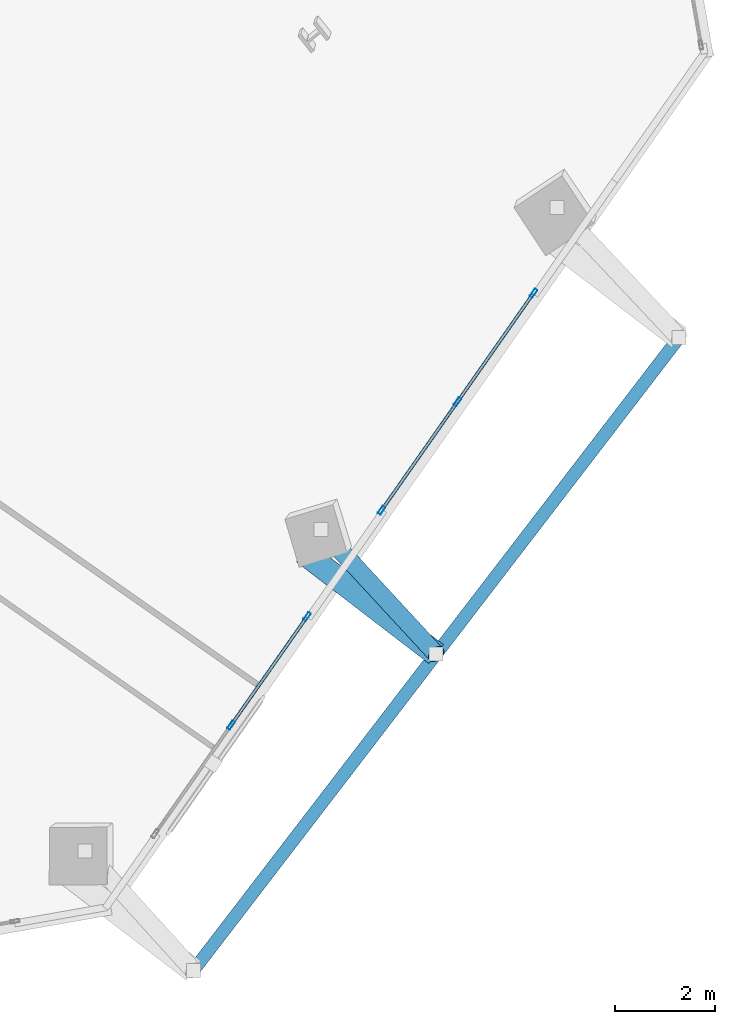
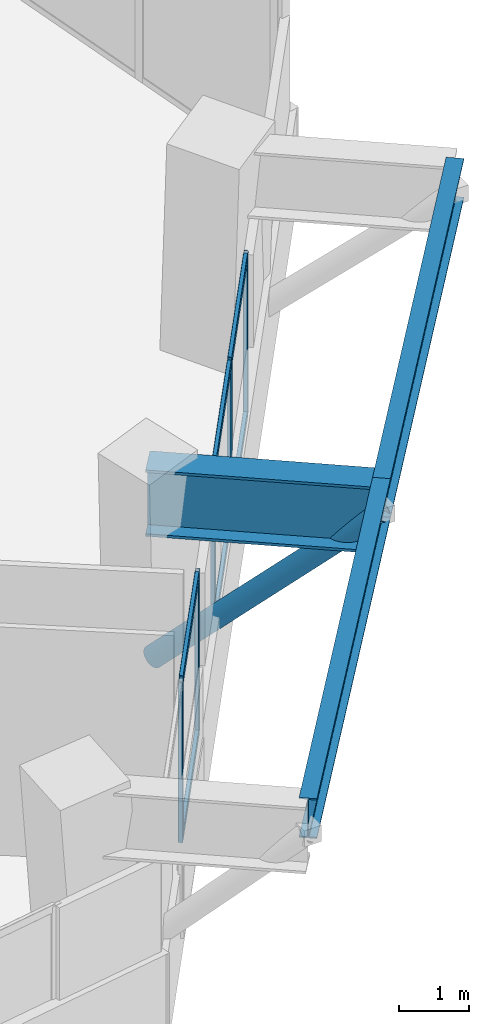
# One storey, part 8 of 21: 12 members, 3 beams, 2 elements without a shape of their own.
"""IFC4 building model written with IfcOpenShell, lengths in metres."""

import ifcopenshell
import ifcopenshell.guid

model = None  # the IFC model being written
_history = None  # IfcOwnerHistory: only IFC2X3 demands one
_inside = {}  # id of a spatial element -> (the spatial element, [elements in it])
_under = {}  # id of a project, library or spatial element -> (it, [spatial elements below it])
_declared = {}  # id of a project -> (the project, [libraries it declares])
_typed = {}  # id of a type object -> (the type object, [elements of that type])
_made_of = {}  # id of a material, layer set ... -> (it, [elements and type objects made of it])


def new_model(schema):
    """Start an empty IFC model of exactly this schema.

    Asked for "IFC4X3", IfcOpenShell would pick the latest addendum, in which some entities
    have other attributes; the version numbers below select the first issue.
    IFC2X3 requires an IfcOwnerHistory on every rooted entity: one is made here for all.
    """
    global model, _history
    if schema == "IFC4X3":
        model = ifcopenshell.file(schema_version=(4, 3, 0, 0))
    else:
        model = ifcopenshell.file(schema=schema)
    _inside.clear()
    _under.clear()
    _declared.clear()
    _typed.clear()
    _made_of.clear()
    _history = None
    if model.schema == "IFC2X3":
        org = make("IfcOrganization", Name="unknown")
        user = make(
            "IfcPersonAndOrganization",
            ThePerson=make("IfcPerson", FamilyName="unknown"),
            TheOrganization=org,
        )
        app = make(
            "IfcApplication",
            ApplicationDeveloper=org,
            Version="unknown",
            ApplicationFullName="unknown",
            ApplicationIdentifier="unknown",
        )
        _history = make(
            "IfcOwnerHistory",
            OwningUser=user,
            OwningApplication=app,
            ChangeAction="ADDED",
            CreationDate=0,
        )
    return model


def make(cls, **values):
    """One entity of the class cls with the attributes given. An attribute that is None is left unset."""
    return model.create_entity(
        cls, **{name: value for name, value in values.items() if value is not None}
    )


def rooted(cls, **values):
    """An entity with a GlobalId (a new one), such as an element, a storey or a relation."""
    return make(cls, GlobalId=ifcopenshell.guid.new(), OwnerHistory=_history, **values)


def si_unit(unit_type, name, prefix=None):
    """IfcSIUnit, for example si_unit("LENGTHUNIT", "METRE", prefix="MILLI")."""
    return make("IfcSIUnit", UnitType=unit_type, Prefix=prefix, Name=name)


def assignment(units):
    """IfcUnitAssignment: the units of a project."""
    return None if units is None else make("IfcUnitAssignment", Units=units)


def point(xyz):
    """IfcCartesianPoint."""
    return None if xyz is None else make("IfcCartesianPoint", Coordinates=xyz)


def direction(xyz):
    """IfcDirection."""
    return None if xyz is None else make("IfcDirection", DirectionRatios=xyz)


def frame(location, z_axis=None, x_axis=None):
    """IfcAxis2Placement3D, a coordinate frame: its origin and axes. An axis left out is left unset."""
    return make(
        "IfcAxis2Placement3D",
        Location=point(location),
        Axis=direction(z_axis),
        RefDirection=direction(x_axis),
    )


def frame_2d(location, x_axis=None):
    """IfcAxis2Placement2D, a coordinate frame in the plane: its origin and x axis."""
    return make(
        "IfcAxis2Placement2D", Location=point(location), RefDirection=direction(x_axis)
    )


def origin():
    """The frame at (0, 0, 0) with its axes left unset."""
    return frame((0.0, 0.0, 0.0))


def origin_2d():
    """The frame at (0, 0) in the plane with its x axis left unset."""
    return frame_2d((0.0, 0.0))


def place(relative_to, where):
    """IfcLocalPlacement: puts the frame where relative to a parent placement (None: the world)."""
    return make(
        "IfcLocalPlacement", PlacementRelTo=relative_to, RelativePlacement=where
    )


def context(
    kind, dimensions, precision=None, world=None, true_north=None, identifier=None
):
    """IfcGeometricRepresentationContext, for example the 3D "Model" context."""
    return make(
        "IfcGeometricRepresentationContext",
        ContextIdentifier=identifier,
        ContextType=kind,
        CoordinateSpaceDimension=dimensions,
        Precision=precision,
        WorldCoordinateSystem=world,
        TrueNorth=true_north,
    )


def subcontext(parent, identifier, kind, view, scale=None):
    """IfcGeometricRepresentationSubContext, for example "Body" below "Model"."""
    return make(
        "IfcGeometricRepresentationSubContext",
        ContextIdentifier=identifier,
        ContextType=kind,
        ParentContext=parent,
        TargetScale=scale,
        TargetView=view,
    )


def project(units=None, contexts=None):
    """IfcProject with its units and contexts."""
    return rooted(
        "IfcProject",
        Name="project",
        RepresentationContexts=contexts,
        UnitsInContext=assignment(units),
    )


def spatial(cls, under=None, at=None, **own):
    """A site, building, storey or space (cls), placed at a placement, below another one or the project."""
    s = rooted(cls, ObjectPlacement=at, **own)
    if under is not None:
        _under.setdefault(under.id(), (under, []))[1].append(s)
    return s


def profile(cls, at=None, kind="AREA", **sizes):
    """A parametric profile (cls). Its sizes go by their IFC names, for example OverallWidth=200.0."""
    return make(cls, ProfileType=kind, Position=at, **sizes)


def hollow_rectangle(**sizes):
    """IfcRectangleHollowProfileDef."""
    return profile("IfcRectangleHollowProfileDef", **sizes)


def hollow_circle(**sizes):
    """IfcCircleHollowProfileDef."""
    return profile("IfcCircleHollowProfileDef", **sizes)


def i_section(**sizes):
    """IfcIShapeProfileDef."""
    return profile("IfcIShapeProfileDef", **sizes)


def extrude(swept, where, along, depth):
    """IfcExtrudedAreaSolid: the profile swept, set in the frame where, extruded along a direction by depth."""
    return make(
        "IfcExtrudedAreaSolid",
        SweptArea=swept,
        Position=where,
        ExtrudedDirection=direction(along),
        Depth=depth,
    )


def shape(context_of_items, identifier, shape_type, items):
    """IfcShapeRepresentation: the items that make up one representation, for example the "Body"."""
    return make(
        "IfcShapeRepresentation",
        ContextOfItems=context_of_items,
        RepresentationIdentifier=identifier,
        RepresentationType=shape_type,
        Items=items,
    )


def source(mapping_origin, context_of_items, identifier, shape_type, items):
    """IfcRepresentationMap: a shape defined once, which mapped items show again and again."""
    return make(
        "IfcRepresentationMap",
        MappingOrigin=mapping_origin,
        MappedRepresentation=shape(context_of_items, identifier, shape_type, items),
    )


def transform(
    local_origin,
    x_axis=None,
    y_axis=None,
    z_axis=None,
    scale=None,
    scale2=None,
    scale3=None,
    uniform=True,
):
    """IfcCartesianTransformationOperator3D, or its non-uniform kind. x_axis, y_axis, z_axis: its Axis1, 2, 3."""
    if uniform:
        return make(
            "IfcCartesianTransformationOperator3D",
            Axis1=direction(x_axis),
            Axis2=direction(y_axis),
            LocalOrigin=point(local_origin),
            Scale=scale,
            Axis3=direction(z_axis),
        )
    return make(
        "IfcCartesianTransformationOperator3DnonUniform",
        Axis1=direction(x_axis),
        Axis2=direction(y_axis),
        LocalOrigin=point(local_origin),
        Scale=scale,
        Axis3=direction(z_axis),
        Scale2=scale2,
        Scale3=scale3,
    )


def mapped(mapping_source, mapping_target):
    """IfcMappedItem: shows the shape of a source again, moved by a transform."""
    return make(
        "IfcMappedItem", MappingSource=mapping_source, MappingTarget=mapping_target
    )


def material(Name=None, Category=None):
    """IfcMaterial."""
    return make("IfcMaterial", Name=Name, Category=Category)


def material_profile(
    of_material, cross_section, Name=None, Category=None, Priority=None
):
    """IfcMaterialProfile: a cross section and its material."""
    return make(
        "IfcMaterialProfile",
        Name=Name,
        Material=of_material,
        Profile=cross_section,
        Priority=Priority,
        Category=Category,
    )


def profile_set(profiles, Name=None, composite=None):
    """IfcMaterialProfileSet."""
    return make(
        "IfcMaterialProfileSet",
        Name=Name,
        MaterialProfiles=profiles,
        CompositeProfile=composite,
    )


def made_of(thing, what):
    """Note that an element or type object is made of a material, layer set ...; save() writes the relation."""
    if what is not None:
        _made_of.setdefault(what.id(), (what, []))[1].append(thing)
    return thing


def type_object(cls, material=None, **own):
    """A type object (cls), such as IfcWallType, which elements share."""
    return made_of(rooted(cls, **own), material)


def element(
    cls,
    number,
    at=None,
    inside=None,
    cuts=None,
    type_object=None,
    material=None,
    context=None,
    identifier="Body",
    shape_type=None,
    held_by="IfcProductDefinitionShape",
    body=None,
    shapes=None,
    **own,
):
    """One element of the class cls, such as IfcWall. Its Tag is "e" and its number.

    at: its placement. inside: the storey or other place that contains it. cuts: it is an
    opening in that element (IfcRelVoidsElement). A single representation is given by context,
    identifier, shape_type and body (its items); several are given by shapes. held_by: the class
    of the entity that holds the representations. save() writes the other relations.
    """
    e = rooted(cls, Tag="e%d" % number, ObjectPlacement=at, **own)
    if body is not None:
        shapes = [shape(context, identifier, shape_type, body)]
    if shapes is not None:
        e.Representation = make(held_by, Representations=shapes)
    if inside is not None:
        _inside.setdefault(inside.id(), (inside, []))[1].append(e)
    if cuts is not None:
        rooted(
            "IfcRelVoidsElement", RelatingBuildingElement=cuts, RelatedOpeningElement=e
        )
    if type_object is not None:
        _typed.setdefault(type_object.id(), (type_object, []))[1].append(e)
    return made_of(e, material)


def aggregate(whole, parts):
    """IfcRelAggregates: a whole, such as a stair, and the parts it consists of."""
    return rooted("IfcRelAggregates", RelatingObject=whole, RelatedObjects=parts)


def save(model, path):
    """Write the relations noted so far, then the file.

    IfcRelAggregates (storeys below a building ...), IfcRelContainedInSpatialStructure (elements
    in a storey), IfcRelDefinesByType, IfcRelAssociatesMaterial and IfcRelDeclares: one each for
    every whole, place, type object, material and project.
    """
    for whole, parts in _under.values():
        aggregate(whole, parts)
    for where, things in _inside.values():
        rooted(
            "IfcRelContainedInSpatialStructure",
            RelatedElements=things,
            RelatingStructure=where,
        )
    for kind, things in _typed.values():
        rooted("IfcRelDefinesByType", RelatedObjects=things, RelatingType=kind)
    for what, things in _made_of.values():
        rooted("IfcRelAssociatesMaterial", RelatedObjects=things, RelatingMaterial=what)
    for by, libraries in _declared.values():
        rooted("IfcRelDeclares", RelatingContext=by, RelatedDefinitions=libraries)
    model.write(path)


model = new_model("IFC4")

# Units and contexts
model_context = context("Model", 3, precision=1e-05, world=origin(), true_north=direction((0.0, 1.0)))
body_context = subcontext(model_context, "Body", "Model", "MODEL_VIEW")
ifc_project = project(units=[si_unit("LENGTHUNIT", "METRE"), si_unit("AREAUNIT", "SQUARE_METRE"), si_unit("VOLUMEUNIT", "CUBIC_METRE"), si_unit("PLANEANGLEUNIT", "RADIAN"), si_unit("MASSUNIT", "GRAM", prefix="KILO")], contexts=[model_context])

# Site, building, storey
site_placement = place(None, origin())
site = spatial("IfcSite", under=ifc_project, at=site_placement, CompositionType="ELEMENT")
building_placement = place(site_placement, origin())
building = spatial("IfcBuilding", under=site, at=building_placement, Name="Torre Montelarca", CompositionType="ELEMENT")
storey_placement = place(building_placement, frame((0.0, 0.0, 200.199951171875)))
storey = spatial("IfcBuildingStorey", under=building, at=storey_placement, Name="L45", CompositionType="ELEMENT", Elevation=200.199951171875)

# Member
ifc_material_1 = material(Name="Steel ASTM A500 Grade C", Category="steel")
ifc_material_profile_1 = material_profile(ifc_material_1, hollow_circle(Radius=0.177734375, WallThickness=0.015869140625, at=origin_2d()), Name="HSS355.6X15.9", Category="steel")
ifc_profile_set_1 = profile_set([ifc_material_profile_1], Name="Steel ASTM A500 Grade C")
member_type_1 = type_object("IfcMemberType", Name="MB-BR-CHS356-EXT", PredefinedType="BRACE", material=ifc_profile_set_1)
shared_shape_1 = source(origin(), body_context, "Body", "SweptSolid", [
    extrude(hollow_circle(Radius=0.177734375, WallThickness=0.015869140625, at=origin_2d()), origin(), (0.0, 0.0, 1.0), 4.697021484375),
])
member_1_placement = place(storey_placement, frame((42.870849609375, 16.330322265625, 0.150146484375), z_axis=(0.491962384112, -0.532608404648, 0.688695360749), x_axis=(0.734580784754, 0.678521238186, 0.0)))
element("IfcMember", 1, at=member_1_placement, inside=storey, type_object=member_type_1, Name="L46 Sliding Tray Exterior Diagonal Raker Strut E2", PredefinedType="BRACE", context=body_context, shape_type="MappedRepresentation", body=[
    mapped(shared_shape_1, transform((0.0, 0.0, 0.0), scale=1.0)),
])

# Beams
ifc_material_2 = material(Name="Steel ASTM A572 Grade 50", Category="steel")
ifc_material_profile_2 = material_profile(ifc_material_2, i_section(OverallWidth=0.47998046875, OverallDepth=1.14990234375, WebThickness=0.02197265625, FlangeThickness=0.044921875, at=origin_2d()), Name="PG1150X480X22X45", Category="steel")
ifc_profile_set_2 = profile_set([ifc_material_profile_2], Name="Steel ASTM A572 Grade 50")
beam_type_1 = type_object("IfcBeamType", Name="BM-CG-PG1400-EXT", PredefinedType="USERDEFINED", material=ifc_profile_set_2)
shared_shape_2 = source(origin(), body_context, "Body", "SweptSolid", [
    extrude(i_section(OverallWidth=0.47998046875, OverallDepth=1.14990234375, WebThickness=0.02197265625, FlangeThickness=0.044921875, at=origin_2d()), origin(), (0.0, 0.0, 1.0), 3.349853515625),
])
beam_placement = place(storey_placement, frame((42.52392578125, 15.867919921875, 3.385009765625), z_axis=(0.793357620002, -0.608755851541, 0.0), x_axis=(0.608755851541, 0.793357620002, 0.0)))
element("IfcBeam", 2, at=beam_placement, inside=storey, type_object=beam_type_1, Name="L45 Sliding Tray Cantilever Girder East Y=32m (FLR)", ObjectType="CANTILEVER GIRDER", PredefinedType="USERDEFINED", context=body_context, shape_type="MappedRepresentation", body=[
    mapped(shared_shape_2, transform((0.0, 0.0, 0.0), scale=1.0)),
])
ifc_material_3 = material(Name="Steel ASTM A992 Grade 50", Category="steel")
ifc_material_profile_3 = material_profile(ifc_material_3, i_section(OverallWidth=0.256103515625, OverallDepth=0.693115234375, WebThickness=0.014404296875, FlangeThickness=0.023681640625, FilletRadius=0.01806640625, at=origin_2d()), Name="W690X170", Category="steel")
ifc_profile_set_3 = profile_set([ifc_material_profile_3], Name="Steel ASTM A992 Grade 50")
beam_type_2 = type_object("IfcBeamType", Name="BM-G-W690-EXT", PredefinedType="BEAM", material=ifc_profile_set_3)
shared_shape_3 = source(origin(), body_context, "Body", "SweptSolid", [
    extrude(i_section(OverallWidth=0.256103515625, OverallDepth=0.693115234375, WebThickness=0.014404296875, FlangeThickness=0.023681640625, FilletRadius=0.01806640625, at=origin_2d()), origin(), (0.0, 0.0, 1.0), 8.0),
])
for number, where, z_axis, x_axis, name in (
    (3, (40.3115234375, 7.481689453125, 3.614013671875), (0.608757593073, 0.793356283694, 0.0), (-0.793356283694, 0.608757593073, 0.0), "L45 Sliding Tray Edge Girder East 24-32m (FLR)"),
    (4, (45.181640625, 13.82861328125, 3.614013671875), (0.608772331974, 0.793344974033, 0.0), (-0.793344974033, 0.608772331974, 0.0), "L45 Sliding Tray Edge Girder East 32-40m (FLR)"),
):
    element("IfcBeam", number, at=place(storey_placement, frame(where, z_axis=z_axis, x_axis=x_axis)), inside=storey, type_object=beam_type_2, Name=name, PredefinedType="BEAM", context=body_context, shape_type="MappedRepresentation", body=[
        mapped(shared_shape_3, transform((0.0, 0.0, 0.0), scale=1.0)),
    ])

# Curtain wall, members
ifc_material_4 = material(Name="Insulated low-E laminated glass", Category="glass")
curtain_wall_type = type_object("IfcCurtainWallType", Name="CW-SYS-Z2", PredefinedType="USERDEFINED", material=ifc_material_4)
curtain_wall_1_placement = place(storey_placement, origin())
curtain_wall_1 = element("IfcCurtainWall", 5, at=curtain_wall_1_placement, inside=storey, type_object=curtain_wall_type, Name="L45 Curtain Wall Run CW-T3-L45-E06-B1", ObjectType="UNITISED GLAZING", PredefinedType="USERDEFINED")
ifc_material_5 = material(Name="Anodised aluminium AA 6063-T6", Category="aluminium")
ifc_material_profile_4 = material_profile(ifc_material_5, hollow_rectangle(XDim=0.06494140625, YDim=0.179931640625, WallThickness=0.00390625, InnerFilletRadius=0.00390625, OuterFilletRadius=0.008056640625, at=origin_2d()), Name="ALU65X180X4", Category="aluminium")
ifc_profile_set_4 = profile_set([ifc_material_profile_4], Name="Anodised aluminium AA 6063-T6")
member_type_2 = type_object("IfcMemberType", Name="CWM-ALU180", PredefinedType="MULLION", material=ifc_profile_set_4)
shared_shape_4 = source(origin(), body_context, "Body", "SweptSolid", [
    extrude(hollow_rectangle(XDim=0.06494140625, YDim=0.179931640625, WallThickness=0.00390625, InnerFilletRadius=0.00390625, OuterFilletRadius=0.008056640625, at=origin_2d()), origin(), (0.0, 0.0, 1.0), 2.775146484375),
])
member_2_placement = place(storey_placement, frame((41.068603515625, 12.4033203125, 0.0), z_axis=(0.0, 0.0, 1.0), x_axis=(-0.819166487898, 0.573555808187, 0.0)))
member_2 = element("IfcMember", 6, at=member_2_placement, type_object=member_type_2, Name="CW mullion 2", PredefinedType="MULLION", context=body_context, shape_type="MappedRepresentation", body=[
    mapped(shared_shape_4, transform((0.0, 0.0, 0.0), scale=1.0)),
])
member_3_placement = place(storey_placement, frame((42.594482421875, 14.582275390625, 0.0), z_axis=(0.0, 0.0, 1.0), x_axis=(-0.819166487898, 0.573555808187, 0.0)))
member_3 = element("IfcMember", 7, at=member_3_placement, type_object=member_type_2, Name="CW mullion 3", PredefinedType="MULLION", context=body_context, shape_type="MappedRepresentation", body=[
    mapped(shared_shape_4, transform((0.0, 0.0, 0.0), scale=1.0)),
])

curtain_wall_2_placement = place(storey_placement, origin())
curtain_wall_2 = element("IfcCurtainWall", 8, at=curtain_wall_2_placement, inside=storey, type_object=curtain_wall_type, Name="L45 Curtain Wall Run CW-T3-L45-E06-B2", ObjectType="UNITISED GLAZING", PredefinedType="USERDEFINED")
member_4_placement = place(storey_placement, frame((44.08740234375, 16.71435546875, 0.0), z_axis=(0.0, 0.0, 1.0), x_axis=(-0.819161176305, 0.57356339426, 0.0)))
member_4 = element("IfcMember", 9, at=member_4_placement, type_object=member_type_2, Name="CW mullion 1", PredefinedType="MULLION", context=body_context, shape_type="MappedRepresentation", body=[
    mapped(shared_shape_4, transform((0.0, 0.0, 0.0), scale=1.0)),
])
member_5_placement = place(storey_placement, frame((45.611572265625, 18.89111328125, 0.0), z_axis=(0.0, 0.0, 1.0), x_axis=(-0.819161176305, 0.57356339426, 0.0)))
member_5 = element("IfcMember", 10, at=member_5_placement, type_object=member_type_2, Name="CW mullion 2", PredefinedType="MULLION", context=body_context, shape_type="MappedRepresentation", body=[
    mapped(shared_shape_4, transform((0.0, 0.0, 0.0), scale=1.0)),
])
member_6_placement = place(storey_placement, frame((47.1357421875, 21.06787109375, 0.0), z_axis=(0.0, 0.0, 1.0), x_axis=(-0.819161176305, 0.57356339426, 0.0)))
member_6 = element("IfcMember", 11, at=member_6_placement, type_object=member_type_2, Name="CW mullion 3", PredefinedType="MULLION", context=body_context, shape_type="MappedRepresentation", body=[
    mapped(shared_shape_4, transform((0.0, 0.0, 0.0), scale=1.0)),
])

# Member
ifc_material_profile_5 = material_profile(ifc_material_5, hollow_rectangle(XDim=0.06494140625, YDim=0.139892578125, WallThickness=0.00390625, InnerFilletRadius=0.00390625, OuterFilletRadius=0.008056640625, at=origin_2d()), Name="ALU65X140X4", Category="aluminium")
ifc_profile_set_5 = profile_set([ifc_material_profile_5], Name="Anodised aluminium AA 6063-T6")
member_type_3 = type_object("IfcMemberType", Name="CWT-ALU140", PredefinedType="USERDEFINED", material=ifc_profile_set_5)
shared_shape_5 = source(origin(), body_context, "Body", "SweptSolid", [
    extrude(hollow_rectangle(XDim=0.06494140625, YDim=0.139892578125, WallThickness=0.00390625, InnerFilletRadius=0.00390625, OuterFilletRadius=0.008056640625, at=origin_2d()), origin(), (0.0, 0.0, 1.0), 2.594970703125),
])
member_7_placement = place(storey_placement, frame((41.08740234375, 12.429931640625, 0.032470703125), z_axis=(0.573594930322, 0.81913909436, 0.0), x_axis=(-0.81913909436, 0.573594930322, 0.0)))
member_7 = element("IfcMember", 12, at=member_7_placement, type_object=member_type_3, Name="CW transom 2.1", ObjectType="TRANSOM", PredefinedType="USERDEFINED", context=body_context, shape_type="MappedRepresentation", body=[
    mapped(shared_shape_5, transform((0.0, 0.0, 0.0), scale=1.0)),
])

member_8_placement = place(storey_placement, frame((41.08740234375, 12.429931640625, 2.742431640625), z_axis=(0.573594930322, 0.81913909436, 0.0), x_axis=(-0.81913909436, 0.573594930322, 0.0)))
member_8 = element("IfcMember", 13, at=member_8_placement, type_object=member_type_3, Name="CW transom 2.2", ObjectType="TRANSOM", PredefinedType="USERDEFINED", context=body_context, shape_type="MappedRepresentation", body=[
    mapped(shared_shape_5, transform((0.0, 0.0, 0.0), scale=1.0)),
])

aggregate(curtain_wall_1, [member_2, member_3, member_7, member_8])

shared_shape_6 = source(origin(), body_context, "Body", "SweptSolid", [
    extrude(hollow_rectangle(XDim=0.06494140625, YDim=0.139892578125, WallThickness=0.00390625, InnerFilletRadius=0.00390625, OuterFilletRadius=0.008056640625, at=origin_2d()), origin(), (0.0, 0.0, 1.0), 2.59228515625),
])
member_9_placement = place(storey_placement, frame((44.106201171875, 16.740966796875, 0.032470703125), z_axis=(0.573550831465, 0.819169972427, 0.0), x_axis=(-0.819169972427, 0.573550831465, 0.0)))
member_9 = element("IfcMember", 14, at=member_9_placement, type_object=member_type_3, Name="CW transom 1.1", ObjectType="TRANSOM", PredefinedType="USERDEFINED", context=body_context, shape_type="MappedRepresentation", body=[
    mapped(shared_shape_6, transform((0.0, 0.0, 0.0), scale=1.0)),
])

member_10_placement = place(storey_placement, frame((44.106201171875, 16.740966796875, 2.742431640625), z_axis=(0.573550831465, 0.819169972427, 0.0), x_axis=(-0.819169972427, 0.573550831465, 0.0)))
member_10 = element("IfcMember", 15, at=member_10_placement, type_object=member_type_3, Name="CW transom 1.2", ObjectType="TRANSOM", PredefinedType="USERDEFINED", context=body_context, shape_type="MappedRepresentation", body=[
    mapped(shared_shape_6, transform((0.0, 0.0, 0.0), scale=1.0)),
])

member_11_placement = place(storey_placement, frame((45.630126953125, 18.917724609375, 0.032470703125), z_axis=(0.573550831465, 0.819169972427, 0.0), x_axis=(-0.819169972427, 0.573550831465, 0.0)))
member_11 = element("IfcMember", 16, at=member_11_placement, type_object=member_type_3, Name="CW transom 2.1", ObjectType="TRANSOM", PredefinedType="USERDEFINED", context=body_context, shape_type="MappedRepresentation", body=[
    mapped(shared_shape_6, transform((0.0, 0.0, 0.0), scale=1.0)),
])

member_12_placement = place(storey_placement, frame((45.630126953125, 18.917724609375, 2.742431640625), z_axis=(0.573550831465, 0.819169972427, 0.0), x_axis=(-0.819169972427, 0.573550831465, 0.0)))
member_12 = element("IfcMember", 17, at=member_12_placement, type_object=member_type_3, Name="CW transom 2.2", ObjectType="TRANSOM", PredefinedType="USERDEFINED", context=body_context, shape_type="MappedRepresentation", body=[
    mapped(shared_shape_6, transform((0.0, 0.0, 0.0), scale=1.0)),
])

aggregate(curtain_wall_2, [member_4, member_5, member_6, member_9, member_10, member_11, member_12])

save(model, "model.ifc")
